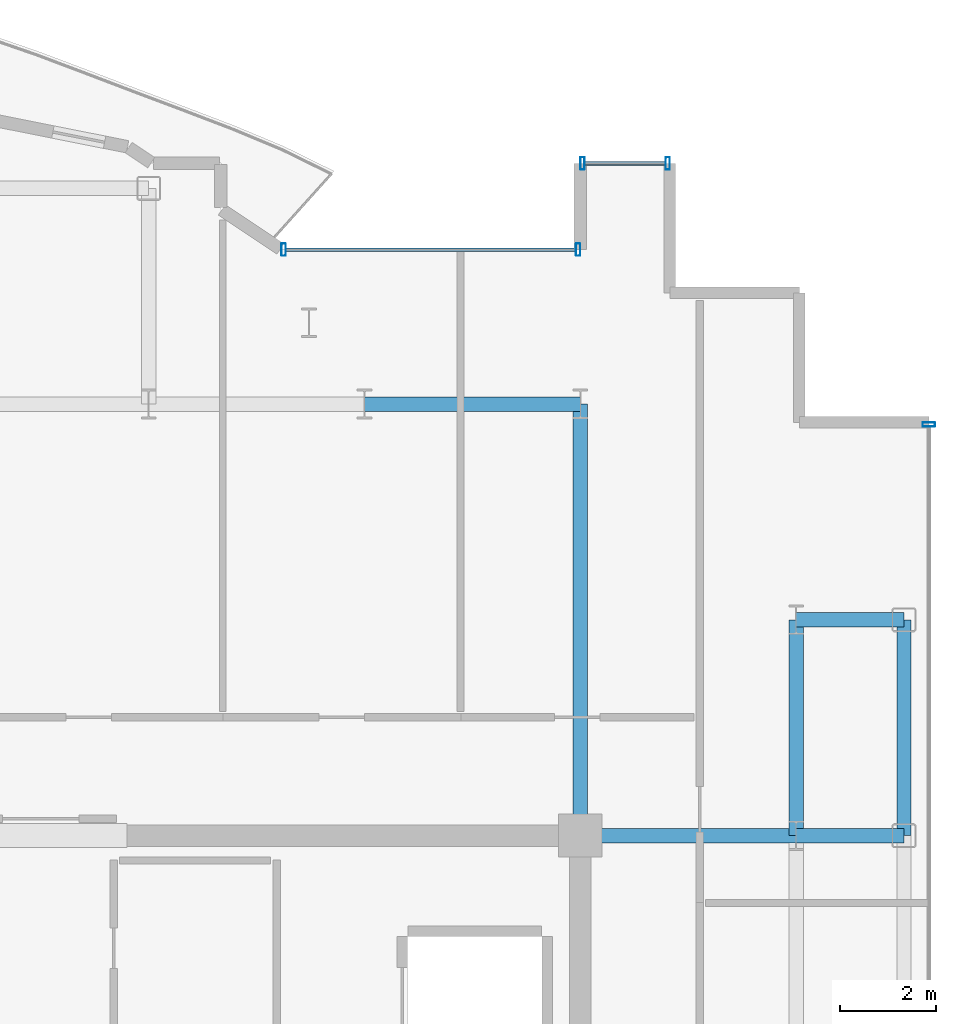
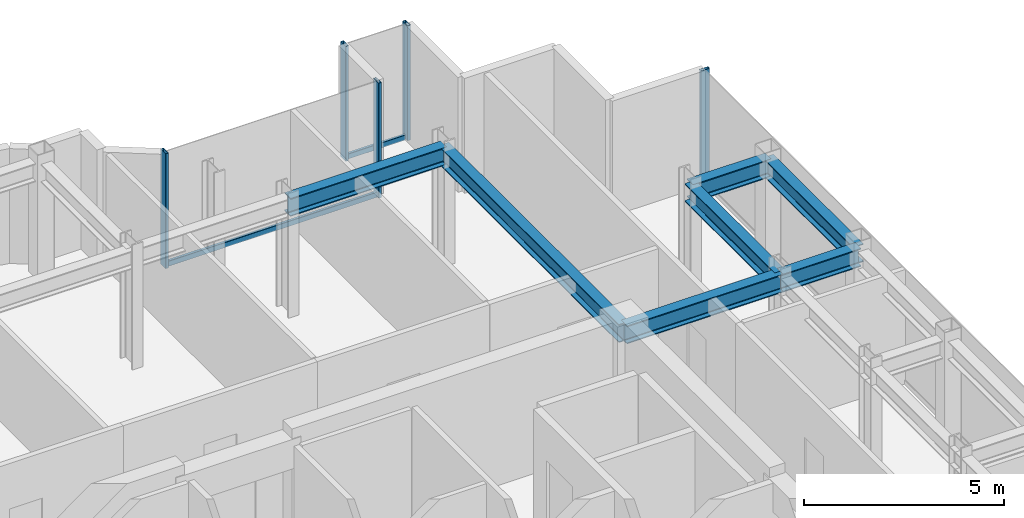
# One storey, part 11 of 18: 7 beams, 7 members, 3 elements without a shape of their own.
"""IFC4 building model written with IfcOpenShell, lengths in metres."""

from ifc_helpers import new_model, si_unit, direction, frame, origin, origin_2d, place, context, subcontext, project, spatial, hollow_rectangle, i_section, extrude, source, transform, mapped, material, layer, layer_set, material_profile, profile_set, type_object, element, aggregate, save


model = new_model("IFC4")

# Units and contexts
model_context = context("Model", 3, precision=1e-05, world=origin(), true_north=direction((0.0, 1.0)))
body_context = subcontext(model_context, "Body", "Model", "MODEL_VIEW")
ifc_project = project(units=[si_unit("LENGTHUNIT", "METRE"), si_unit("AREAUNIT", "SQUARE_METRE"), si_unit("VOLUMEUNIT", "CUBIC_METRE"), si_unit("PLANEANGLEUNIT", "RADIAN"), si_unit("MASSUNIT", "GRAM", prefix="KILO")], contexts=[model_context])

# Site, building, storey
site_placement = place(None, origin())
site = spatial("IfcSite", under=ifc_project, at=site_placement, CompositionType="ELEMENT")
building_placement = place(site_placement, origin())
building = spatial("IfcBuilding", under=site, at=building_placement, Name="Nefas-Gora Pilgrimage Tower", CompositionType="ELEMENT")
storey_placement = place(building_placement, frame((0.0, 0.0, 314.0)))
storey = spatial("IfcBuildingStorey", under=building, at=storey_placement, Name="L79", CompositionType="ELEMENT", Elevation=314.0)

# Beams
ifc_material_1 = material(Name="Steel S355", Category="steel")
ifc_material_profile_1 = material_profile(ifc_material_1, i_section(OverallWidth=0.300048828125, OverallDepth=0.550048828125, WebThickness=0.014892578125, FlangeThickness=0.029052734375, FilletRadius=0.027099609375, at=origin_2d()), Name="HEB 550")
ifc_profile_set_1 = profile_set([ifc_material_profile_1], Name="Steel S355")
beam_type_1 = type_object("IfcBeamType", Name="BM-SPN-HEB400", PredefinedType="SPANDREL", material=ifc_profile_set_1)
shared_shape_1 = source(origin(), body_context, "Body", "SweptSolid", [
    extrude(i_section(OverallWidth=0.300048828125, OverallDepth=0.550048828125, WebThickness=0.014892578125, FlangeThickness=0.029052734375, FilletRadius=0.027099609375, at=origin_2d()), origin(), (0.0, 0.0, 1.0), 4.5),
])
beam_1_placement = place(storey_placement, frame((18.0, 9.0, 3.22509765625), z_axis=(0.0, 1.0, 0.0), x_axis=(-1.0, 0.0, 0.0)))
element("IfcBeam", 1, at=beam_1_placement, inside=storey, type_object=beam_type_1, Name="L79 SP-04 beam", PredefinedType="SPANDREL", context=body_context, shape_type="MappedRepresentation", body=[
    mapped(shared_shape_1, transform((0.0, 0.0, 0.0), x_axis=(1.0, 0.0, 0.0), y_axis=(0.0, 1.0, 0.0), z_axis=(0.0, 0.0, 1.0), scale=1.0)),
])
ifc_material_profile_2 = material_profile(ifc_material_1, i_section(OverallWidth=0.300048828125, OverallDepth=0.550048828125, WebThickness=0.014892578125, FlangeThickness=0.029052734375, FilletRadius=0.027099609375, at=origin_2d()), Name="HEB 550")
ifc_profile_set_2 = profile_set([ifc_material_profile_2], Name="Steel S355")
beam_type_2 = type_object("IfcBeamType", Name="BM-GIR-HEB550", PredefinedType="BEAM", material=ifc_profile_set_2)
shared_shape_2 = source(origin(), body_context, "Body", "SweptSolid", [
    extrude(i_section(OverallWidth=0.300048828125, OverallDepth=0.550048828125, WebThickness=0.014892578125, FlangeThickness=0.029052734375, FilletRadius=0.027099609375, at=origin_2d()), origin(), (0.0, 0.0, 1.0), 9.0),
])
beam_2_placement = place(storey_placement, frame((11.25, 9.0, 3.22509765625), z_axis=(0.0, 1.0, 0.0), x_axis=(-1.0, 0.0, 0.0)))
element("IfcBeam", 2, at=beam_2_placement, inside=storey, type_object=beam_type_2, Name="L79 G-05 beam", PredefinedType="BEAM", context=body_context, shape_type="MappedRepresentation", body=[
    mapped(shared_shape_2, transform((0.0, 0.0, 0.0), x_axis=(1.0, 0.0, 0.0), y_axis=(0.0, 1.0, 0.0), z_axis=(0.0, 0.0, 1.0), scale=1.0)),
])
shared_shape_3 = source(origin(), body_context, "Body", "SweptSolid", [
    extrude(i_section(OverallWidth=0.300048828125, OverallDepth=0.550048828125, WebThickness=0.014892578125, FlangeThickness=0.029052734375, FilletRadius=0.027099609375, at=origin_2d()), origin(), (0.0, 0.0, 1.0), 4.5),
])
for number, where, z_axis, x_axis, name in (
    (3, (6.75, 18.0, 3.22509765625), (1.0, 0.0, 0.0), (0.0, 1.0, 0.0), "L79 G-05 beam"),
    (4, (11.25, 9.0, 3.22509765625), (1.0, 0.0, 0.0), (0.0, 1.0, 0.0), "L79 G-05 beam"),
    (5, (15.75, 9.0, 3.22509765625), (0.0, 1.0, 0.0), (-1.0, 0.0, 0.0), "L79 G-05 beam"),
):
    element("IfcBeam", number, at=place(storey_placement, frame(where, z_axis=z_axis, x_axis=x_axis)), inside=storey, type_object=beam_type_2, Name=name, PredefinedType="BEAM", context=body_context, shape_type="MappedRepresentation", body=[
        mapped(shared_shape_3, transform((0.0, 0.0, 0.0), x_axis=(1.0, 0.0, 0.0), y_axis=(0.0, 1.0, 0.0), z_axis=(0.0, 0.0, 1.0), scale=1.0)),
    ])
shared_shape_4 = source(origin(), body_context, "Body", "SweptSolid", [
    extrude(i_section(OverallWidth=0.300048828125, OverallDepth=0.550048828125, WebThickness=0.014892578125, FlangeThickness=0.029052734375, FilletRadius=0.027099609375, at=origin_2d()), origin(), (0.0, 0.0, 1.0), 2.25),
])
for number, where, z_axis, x_axis, name in (
    (6, (15.75, 9.0, 3.22509765625), (1.0, 0.0, 0.0), (0.0, 1.0, 0.0), "L79 G-05 beam"),
    (7, (15.75, 13.5, 3.22509765625), (1.0, 0.0, 0.0), (0.0, 1.0, 0.0), "L79 G-05 beam"),
):
    element("IfcBeam", number, at=place(storey_placement, frame(where, z_axis=z_axis, x_axis=x_axis)), inside=storey, type_object=beam_type_2, Name=name, PredefinedType="BEAM", context=body_context, shape_type="MappedRepresentation", body=[
        mapped(shared_shape_4, transform((0.0, 0.0, 0.0), x_axis=(1.0, 0.0, 0.0), y_axis=(0.0, 1.0, 0.0), z_axis=(0.0, 0.0, 1.0), scale=1.0)),
    ])

# Curtain wall, members
ifc_material_2 = material(Name="Dark ceramic-fritted solar-control aluminium-glass curtain wall", Category="aluminium")
ifc_layer_1 = layer(ifc_material_2, 0.219970703125)
ifc_layer_set_1 = layer_set([ifc_layer_1], Name="Dark ceramic-fritted solar-control aluminium-glass curtain wall")
curtain_wall_type_1 = type_object("IfcCurtainWallType", Name="CW-SYS-5", PredefinedType="NOTDEFINED", material=ifc_layer_set_1)
curtain_wall_1_placement = place(storey_placement, origin())
curtain_wall_1 = element("IfcCurtainWall", 8, at=curtain_wall_1_placement, inside=storey, type_object=curtain_wall_type_1, Name="L79 Unitised Curtain Wall CW5", PredefinedType="NOTDEFINED")
ifc_material_3 = material(Name="Anodised architectural aluminium", Category="aluminium")
ifc_material_profile_3 = material_profile(ifc_material_3, hollow_rectangle(XDim=0.080078125, YDim=0.159912109375, WallThickness=0.00439453125, InnerFilletRadius=0.00439453125, OuterFilletRadius=0.009033203125, at=origin_2d()), Name="ALU TRANSOM 80x160")
ifc_profile_set_3 = profile_set([ifc_material_profile_3], Name="Anodised architectural aluminium")
member_type_1 = type_object("IfcMemberType", Name="CWM-TRN-5", PredefinedType="USERDEFINED", material=ifc_profile_set_3)
shared_shape_5 = source(origin(), body_context, "Body", "SweptSolid", [
    extrude(hollow_rectangle(XDim=0.080078125, YDim=0.159912109375, WallThickness=0.00439453125, InnerFilletRadius=0.00439453125, OuterFilletRadius=0.009033203125, at=origin_2d()), origin(), (0.0, 0.0, 1.0), 6.052001953125),
])
member_1_placement = place(storey_placement, frame((11.159912109375, 21.219970703125, 0.050048828125), z_axis=(-1.0, 0.0, 0.0), x_axis=(0.0, -1.0, 0.0)))
member_1 = element("IfcMember", 9, at=member_1_placement, type_object=member_type_1, Name="CW5 Spandrel Transom", ObjectType="TRANSOM", PredefinedType="USERDEFINED", context=body_context, shape_type="MappedRepresentation", body=[
    mapped(shared_shape_5, transform((0.0, 0.0, 0.0), x_axis=(1.0, 0.0, 0.0), y_axis=(0.0, 1.0, 0.0), z_axis=(0.0, 0.0, 1.0), scale=1.0)),
])
ifc_material_profile_4 = material_profile(ifc_material_3, hollow_rectangle(XDim=0.090087890625, YDim=0.260009765625, WallThickness=0.006103515625, InnerFilletRadius=0.006103515625, OuterFilletRadius=0.011962890625, at=origin_2d()), Name="ALU MULLION 90x260")
ifc_profile_set_4 = profile_set([ifc_material_profile_4], Name="Anodised architectural aluminium")
member_type_2 = type_object("IfcMemberType", Name="CWM-MUL-5", PredefinedType="MULLION", material=ifc_profile_set_4)
shared_shape_6 = source(origin(), body_context, "Body", "SweptSolid", [
    extrude(hollow_rectangle(XDim=0.090087890625, YDim=0.260009765625, WallThickness=0.006103515625, InnerFilletRadius=0.006103515625, OuterFilletRadius=0.011962890625, at=origin_2d()), origin(), (0.0, 0.0, 1.0), 3.5),
])
member_2_placement = place(storey_placement, frame((11.205078125, 21.219970703125, 0.0), z_axis=(0.0, 0.0, 1.0), x_axis=(-1.0, 0.0, 0.0)))
member_2 = element("IfcMember", 10, at=member_2_placement, type_object=member_type_2, Name="CW5 Mullion 1", PredefinedType="MULLION", context=body_context, shape_type="MappedRepresentation", body=[
    mapped(shared_shape_6, transform((0.0, 0.0, 0.0), x_axis=(1.0, 0.0, 0.0), y_axis=(0.0, 1.0, 0.0), z_axis=(0.0, 0.0, 1.0), scale=1.0)),
])
member_3_placement = place(storey_placement, frame((5.06298828125, 21.219970703125, 0.0), z_axis=(0.0, 0.0, 1.0), x_axis=(-1.0, 0.0, 0.0)))
member_3 = element("IfcMember", 11, at=member_3_placement, type_object=member_type_2, Name="CW5 Mullion 2", PredefinedType="MULLION", context=body_context, shape_type="MappedRepresentation", body=[
    mapped(shared_shape_6, transform((0.0, 0.0, 0.0), x_axis=(1.0, 0.0, 0.0), y_axis=(0.0, 1.0, 0.0), z_axis=(0.0, 0.0, 1.0), scale=1.0)),
])
aggregate(curtain_wall_1, [member_2, member_3, member_1])

# Curtain wall, member
ifc_layer_2 = layer(ifc_material_2, 0.219970703125)
ifc_layer_set_2 = layer_set([ifc_layer_2], Name="Dark ceramic-fritted solar-control aluminium-glass curtain wall")
curtain_wall_type_2 = type_object("IfcCurtainWallType", Name="CW-SYS-4", PredefinedType="NOTDEFINED", material=ifc_layer_set_2)
curtain_wall_2_placement = place(storey_placement, origin())
curtain_wall_2 = element("IfcCurtainWall", 12, at=curtain_wall_2_placement, inside=storey, type_object=curtain_wall_type_2, Name="L79 Unitised Curtain Wall CW4", PredefinedType="NOTDEFINED")
ifc_material_profile_5 = material_profile(ifc_material_3, hollow_rectangle(XDim=0.080078125, YDim=0.159912109375, WallThickness=0.00439453125, InnerFilletRadius=0.00439453125, OuterFilletRadius=0.009033203125, at=origin_2d()), Name="ALU TRANSOM 80x160")
ifc_profile_set_5 = profile_set([ifc_material_profile_5], Name="Anodised architectural aluminium")
member_type_3 = type_object("IfcMemberType", Name="CWM-TRN-4", PredefinedType="USERDEFINED", material=ifc_profile_set_5)
shared_shape_7 = source(origin(), body_context, "Body", "SweptSolid", [
    extrude(hollow_rectangle(XDim=0.080078125, YDim=0.159912109375, WallThickness=0.00439453125, InnerFilletRadius=0.00439453125, OuterFilletRadius=0.009033203125, at=origin_2d()), origin(), (0.0, 0.0, 1.0), 1.68994140625),
])
member_4_placement = place(storey_placement, frame((13.030029296875, 23.02001953125, 0.050048828125), z_axis=(-1.0, 0.0, 0.0), x_axis=(0.0, -1.0, 0.0)))
member_4 = element("IfcMember", 13, at=member_4_placement, type_object=member_type_3, Name="CW4 Spandrel Transom", ObjectType="TRANSOM", PredefinedType="USERDEFINED", context=body_context, shape_type="MappedRepresentation", body=[
    mapped(shared_shape_7, transform((0.0, 0.0, 0.0), x_axis=(1.0, 0.0, 0.0), y_axis=(0.0, 1.0, 0.0), z_axis=(0.0, 0.0, 1.0), scale=1.0)),
])

curtain_wall_3_placement = place(storey_placement, origin())
curtain_wall_3 = element("IfcCurtainWall", 14, at=curtain_wall_3_placement, inside=storey, type_object=curtain_wall_type_2, Name="L79 Unitised Curtain Wall CW4", PredefinedType="NOTDEFINED")
ifc_material_profile_6 = material_profile(ifc_material_3, hollow_rectangle(XDim=0.090087890625, YDim=0.260009765625, WallThickness=0.006103515625, InnerFilletRadius=0.006103515625, OuterFilletRadius=0.011962890625, at=origin_2d()), Name="ALU MULLION 90x260")
ifc_profile_set_6 = profile_set([ifc_material_profile_6], Name="Anodised architectural aluminium")
member_type_4 = type_object("IfcMemberType", Name="CWM-MUL-4", PredefinedType="MULLION", material=ifc_profile_set_6)
shared_shape_8 = source(origin(), body_context, "Body", "SweptSolid", [
    extrude(hollow_rectangle(XDim=0.090087890625, YDim=0.260009765625, WallThickness=0.006103515625, InnerFilletRadius=0.006103515625, OuterFilletRadius=0.011962890625, at=origin_2d()), origin(), (0.0, 0.0, 1.0), 3.5),
])
member_5_placement = place(storey_placement, frame((18.52001953125, 17.574951171875, 0.0), z_axis=(0.0, 0.0, 1.0), x_axis=(0.0, 1.0, 0.0)))
member_5 = element("IfcMember", 15, at=member_5_placement, type_object=member_type_4, Name="CW4 Mullion 3", PredefinedType="MULLION", context=body_context, shape_type="MappedRepresentation", body=[
    mapped(shared_shape_8, transform((0.0, 0.0, 0.0), x_axis=(1.0, 0.0, 0.0), y_axis=(0.0, 1.0, 0.0), z_axis=(0.0, 0.0, 1.0), scale=1.0)),
])
aggregate(curtain_wall_3, [member_5])

# Member
member_6_placement = place(storey_placement, frame((13.074951171875, 23.02001953125, 0.0), z_axis=(0.0, 0.0, 1.0), x_axis=(-1.0, 0.0, 0.0)))
member_6 = element("IfcMember", 16, at=member_6_placement, type_object=member_type_4, Name="CW4 Mullion 1", PredefinedType="MULLION", context=body_context, shape_type="MappedRepresentation", body=[
    mapped(shared_shape_8, transform((0.0, 0.0, 0.0), x_axis=(1.0, 0.0, 0.0), y_axis=(0.0, 1.0, 0.0), z_axis=(0.0, 0.0, 1.0), scale=1.0)),
])

member_7_placement = place(storey_placement, frame((11.294921875, 23.02001953125, 0.0), z_axis=(0.0, 0.0, 1.0), x_axis=(-1.0, 0.0, 0.0)))
member_7 = element("IfcMember", 17, at=member_7_placement, type_object=member_type_4, Name="CW4 Mullion 2", PredefinedType="MULLION", context=body_context, shape_type="MappedRepresentation", body=[
    mapped(shared_shape_8, transform((0.0, 0.0, 0.0), x_axis=(1.0, 0.0, 0.0), y_axis=(0.0, 1.0, 0.0), z_axis=(0.0, 0.0, 1.0), scale=1.0)),
])

aggregate(curtain_wall_2, [member_6, member_7, member_4])

save(model, "model.ifc")
